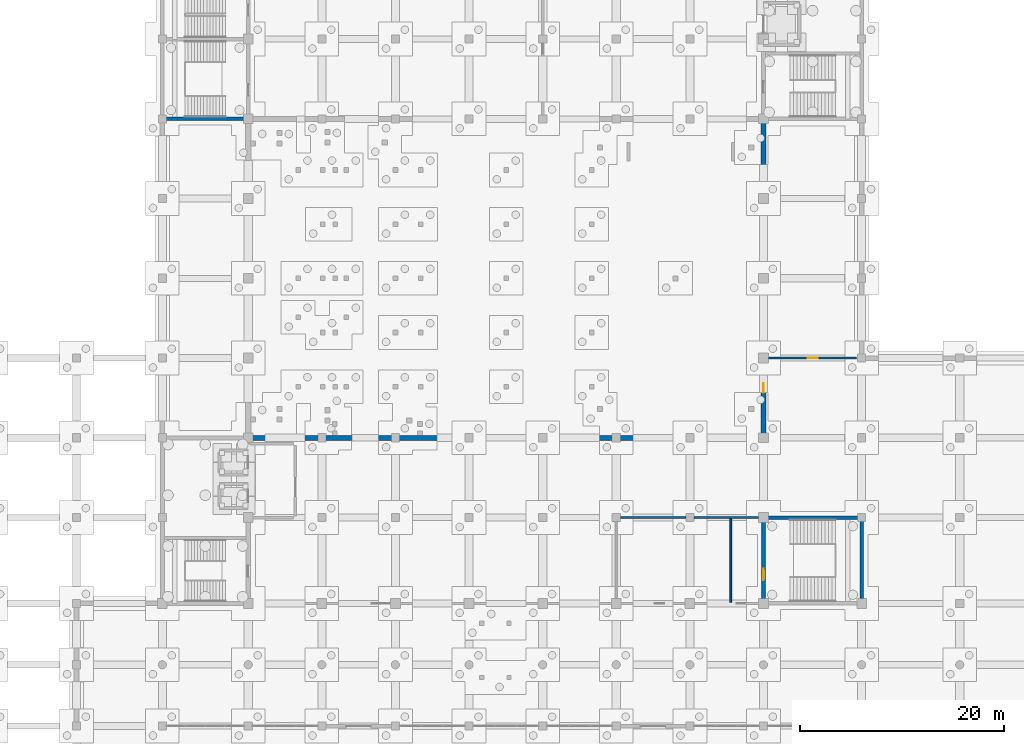
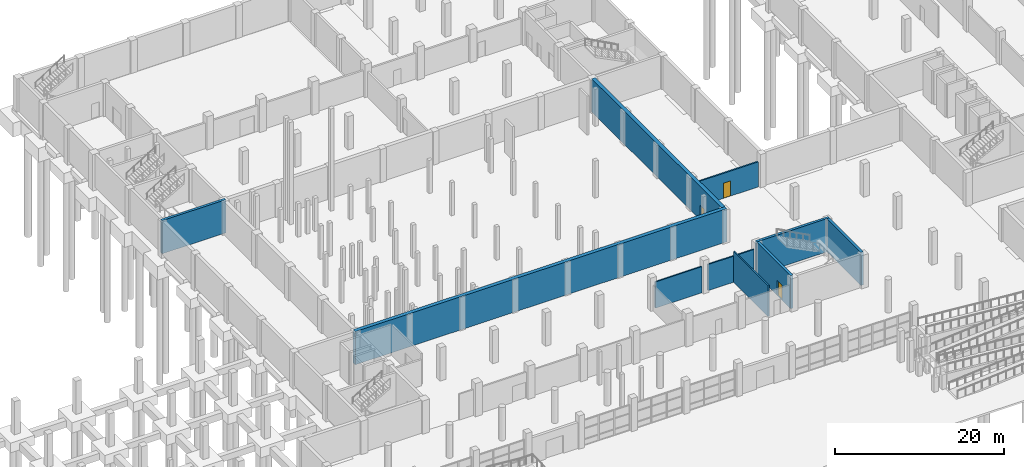
# One storey, part 31 of 42: 10 walls, 3 doors, 3 openings.
"""IFC4 building model written with IfcOpenShell, lengths in metres."""

from ifc_helpers import new_model, si_unit, direction, frame, frame_2d, origin, place, context, subcontext, project, spatial, rectangle, extrude, material, layer, layer_set, type_object, element, fill, save


model = new_model("IFC4")

# Units and contexts
model_context = context("Model", 3, precision=1e-05, world=origin(), true_north=direction((0.0, 1.0)))
body_context = subcontext(model_context, "Body", "Model", "MODEL_VIEW")
ifc_project = project(units=[si_unit("LENGTHUNIT", "METRE"), si_unit("AREAUNIT", "SQUARE_METRE"), si_unit("VOLUMEUNIT", "CUBIC_METRE"), si_unit("PLANEANGLEUNIT", "RADIAN"), si_unit("MASSUNIT", "GRAM", prefix="KILO")], contexts=[model_context])

# Site, building, storey
site_placement = place(None, origin())
site = spatial("IfcSite", under=ifc_project, at=site_placement, CompositionType="ELEMENT")
building_placement = place(site_placement, origin())
building = spatial("IfcBuilding", under=site, at=building_placement, Name="Pellamere Symphony Hall", CompositionType="ELEMENT")
storey_placement = place(building_placement, frame((0.0, 0.0, -4.800048828125)))
storey = spatial("IfcBuildingStorey", under=building, at=storey_placement, Name="B1", CompositionType="ELEMENT", Elevation=-4.800048828125)

# Wall, opening, door
ifc_material_1 = material(Name="Fire-Rated STC-58 Corridor Acoustic Partition", Category="gypsum")
ifc_layer_1 = layer(ifc_material_1, 0.199951171875, Name="Fire-Rated STC-58 Corridor Acoustic Partition")
ifc_layer_set_1 = layer_set([ifc_layer_1], Name="Fire-Rated STC-58 Corridor Acoustic Partition")
wall_type_1 = type_object("IfcWallType", Name="Interior Partition IW-02 200mm", PredefinedType="PARTITIONING", material=ifc_layer_set_1)
wall_1_placement = place(storey_placement, frame((109.7099609375, 54.0, 0.0), z_axis=(0.0, 0.0, 1.0), x_axis=(1.0, 0.0, 0.0)))
wall_1 = element("IfcWall", 1, at=wall_1_placement, inside=storey, type_object=wall_type_1, Name="Interior Partition IW-02-051 (B1)", PredefinedType="PARTITIONING", context=body_context, shape_type="SweptSolid", body=[
    extrude(rectangle(XDim=8.580078125, YDim=0.199951171875, at=frame_2d((4.2900390625, 0.0))), origin(), (0.0, 0.0, 1.0), 3.630126953125),
])
opening_1_placement = place(wall_1_placement, frame((3.800048828125, 0.0, 0.0)))
opening_1 = element("IfcOpeningElement", 2, at=opening_1_placement, cuts=wall_1, Name="Opening ID-FD2-013", PredefinedType="OPENING", context=body_context, shape_type="SweptSolid", body=[
    extrude(rectangle(XDim=1.0, YDim=2.199951171875, at=frame_2d((0.5, 1.10009765625))), frame((0.0, 0.10986328125, 0.0), z_axis=(0.0, -1.0, 0.0), x_axis=(1.0, 0.0, 0.0)), (0.0, 0.0, 1.0), 0.219970703125),
])
ifc_material_2 = material(Name="Fire-Rated Plant and Riser Door", Category="steel")
door_type_1 = type_object("IfcDoorType", Name="Interior Door ID-FD2 1000x2200", OperationType="NOTDEFINED", PredefinedType="DOOR", material=ifc_material_2)
door_1_placement = place(opening_1_placement, origin())
door_1 = element("IfcDoor", 3, at=door_1_placement, inside=storey, type_object=door_type_1, Name="Orchestral Sheet-Music Archive Door", OperationType="SINGLE_SWING_RIGHT", OverallHeight=2.199951171875, OverallWidth=1.0, PredefinedType="DOOR", context=body_context, shape_type="SweptSolid", body=[
    extrude(rectangle(XDim=1.0, YDim=2.199951171875, at=frame_2d((0.5, 1.10009765625))), frame((0.0, 0.02490234375, 0.0), z_axis=(0.0, -1.0, 0.0), x_axis=(1.0, 0.0, 0.0)), (0.0, 0.0, 1.0), 0.050048828125),
])
fill(opening_1, door_1)

# Walls
ifc_material_3 = material(Name="Moisture-Resistant Ceramic-Tiled Washroom Wall", Category="gypsum")
ifc_layer_2 = layer(ifc_material_3, 0.179931640625, Name="Moisture-Resistant Ceramic-Tiled Washroom Wall")
ifc_layer_set_2 = layer_set([ifc_layer_2], Name="Moisture-Resistant Ceramic-Tiled Washroom Wall")
wall_type_2 = type_object("IfcWallType", Name="Interior Partition IW-06 180mm", PredefinedType="PARTITIONING", material=ifc_layer_set_2)
wall_2_placement = place(storey_placement, frame((95.2099609375, 38.39990234375, 0.0), z_axis=(0.0, 0.0, 1.0), x_axis=(1.0, 0.0, 0.0)))
element("IfcWall", 4, at=wall_2_placement, inside=storey, type_object=wall_type_2, Name="Interior Partition IW-06-043 (B1)", PredefinedType="PARTITIONING", context=body_context, shape_type="SweptSolid", body=[
    extrude(rectangle(XDim=6.380126953125, YDim=0.179931640625, at=frame_2d((3.18994140625, 0.0))), origin(), (0.0, 0.0, 1.0), 3.780029296875),
])
wall_3_placement = place(storey_placement, frame((102.409912109375, 38.39990234375, 0.0), z_axis=(0.0, 0.0, 1.0), x_axis=(1.0, 0.0, 0.0)))
element("IfcWall", 5, at=wall_3_placement, inside=storey, type_object=wall_type_2, Name="Interior Partition IW-06-044 (B1)", PredefinedType="PARTITIONING", context=body_context, shape_type="SweptSolid", body=[
    extrude(rectangle(XDim=6.300048828125, YDim=0.179931640625, at=frame_2d((3.14990234375, 0.0))), origin(), (0.0, 0.0, 1.0), 3.780029296875),
])
wall_4_placement = place(storey_placement, frame((106.0, 30.110107421875, 0.0), z_axis=(0.0, 0.0, 1.0), x_axis=(0.0, 1.0, 0.0)))
element("IfcWall", 6, at=wall_4_placement, inside=storey, type_object=wall_type_2, Name="Interior Partition IW-06-045 (B1)", PredefinedType="PARTITIONING", context=body_context, shape_type="SweptSolid", body=[
    extrude(rectangle(XDim=8.18994140625, YDim=0.179931640625, at=frame_2d((4.094970703125, 0.0))), origin(), (0.0, 0.0, 1.0), 4.469970703125),
])
ifc_material_4 = material(Name="Concrete 40 MPa", Category="concrete")
ifc_layer_3 = layer(ifc_material_4, 0.35009765625, Name="Concrete 40 MPa")
ifc_layer_set_3 = layer_set([ifc_layer_3], Name="Concrete 40 MPa")
wall_type_3 = type_object("IfcWallType", Name="Structural Wall SW-03 350mm", PredefinedType="SHEAR", material=ifc_layer_set_3)
wall_5_placement = place(storey_placement, frame((50.22509765625, 77.39990234375, 0.0), z_axis=(0.0, 0.0, 1.0), x_axis=(1.0, 0.0, 0.0)))
element("IfcWall", 7, at=wall_5_placement, inside=storey, type_object=wall_type_3, Name="Stair ST07 Enclosure Wall S (B1)", PredefinedType="SHEAR", context=body_context, shape_type="SweptSolid", body=[
    extrude(rectangle(XDim=8.75, YDim=0.35009765625, at=frame_2d((4.375, 0.0))), origin(), (0.0, 0.0, 1.0), 4.800048828125),
])
wall_6_placement = place(storey_placement, frame((109.02490234375, 38.39990234375, 0.0), z_axis=(0.0, 0.0, 1.0), x_axis=(1.0, 0.0, 0.0)))
element("IfcWall", 8, at=wall_6_placement, inside=storey, type_object=wall_type_3, Name="Stair ST08 Enclosure Wall N (B1)", PredefinedType="SHEAR", context=body_context, shape_type="SweptSolid", body=[
    extrude(rectangle(XDim=9.9501953125, YDim=0.35009765625, at=frame_2d((4.97509765625, 0.0))), origin(), (0.0, 0.0, 1.0), 4.800048828125),
])

# Wall, opening, door
wall_7_placement = place(storey_placement, frame((109.199951171875, 30.175048828125, 0.0), z_axis=(0.0, 0.0, 1.0), x_axis=(0.0, 1.0, 0.0)))
wall_7 = element("IfcWall", 9, at=wall_7_placement, inside=storey, type_object=wall_type_3, Name="Stair ST08 Enclosure Wall W (B1)", PredefinedType="SHEAR", context=body_context, shape_type="SweptSolid", body=[
    extrude(rectangle(XDim=8.050048828125, YDim=0.35009765625, at=frame_2d((4.02490234375, 0.0))), origin(), (0.0, 0.0, 1.0), 4.800048828125),
])
opening_2_placement = place(wall_7_placement, frame((2.10009765625, 0.0, 0.0)))
opening_2 = element("IfcOpeningElement", 10, at=opening_2_placement, cuts=wall_7, Name="Opening SD-43", PredefinedType="OPENING", context=body_context, shape_type="SweptSolid", body=[
    extrude(rectangle(XDim=1.10009765625, YDim=2.199951171875, at=frame_2d((0.550048828125, 1.10009765625))), frame((0.0, 0.18505859375, 0.0), z_axis=(0.0, -1.0, 0.0), x_axis=(1.0, 0.0, 0.0)), (0.0, 0.0, 1.0), 0.3701171875),
])
ifc_material_5 = material(Name="Fire-Rated Steel Exit Stair Door", Category="steel")
door_type_2 = type_object("IfcDoorType", Name="Interior Door ID-SD1 1100x2200", OperationType="NOTDEFINED", PredefinedType="DOOR", material=ifc_material_5)
door_2_placement = place(opening_2_placement, frame((1.10009765625, 0.0, 0.0), z_axis=(0.0, 0.0, 1.0), x_axis=(-1.0, 0.0, 0.0)))
door_2 = element("IfcDoor", 11, at=door_2_placement, inside=storey, type_object=door_type_2, Name="Exit Stair ST08 Door (B1)", OperationType="SINGLE_SWING_LEFT", OverallHeight=2.199951171875, OverallWidth=1.10009765625, PredefinedType="DOOR", context=body_context, shape_type="SweptSolid", body=[
    extrude(rectangle(XDim=1.10009765625, YDim=2.199951171875, at=frame_2d((0.550048828125, 1.10009765625))), frame((0.0, 0.02490234375, 0.0), z_axis=(0.0, -1.0, 0.0), x_axis=(1.0, 0.0, 0.0)), (0.0, 0.0, 1.0), 0.050048828125),
])
fill(opening_2, door_2)

# Walls
wall_8_placement = place(storey_placement, frame((118.800048828125, 30.175048828125, 0.0), z_axis=(0.0, 0.0, 1.0), x_axis=(0.0, 1.0, 0.0)))
element("IfcWall", 12, at=wall_8_placement, inside=storey, type_object=wall_type_3, Name="Stair ST08 Enclosure Wall E (B1)", PredefinedType="SHEAR", context=body_context, shape_type="SweptSolid", body=[
    extrude(rectangle(XDim=8.050048828125, YDim=0.35009765625, at=frame_2d((4.02490234375, 0.0))), origin(), (0.0, 0.0, 1.0), 4.800048828125),
])
ifc_material_6 = material(Name="Architectural warm-pigmented concrete 40 MPa", Category="concrete")
ifc_layer_4 = layer(ifc_material_6, 0.5, Name="Architectural warm-pigmented concrete 40 MPa")
ifc_layer_set_4 = layer_set([ifc_layer_4], Name="Architectural warm-pigmented concrete 40 MPa")
wall_type_4 = type_object("IfcWallType", Name="Structural Wall SW-05 500mm", PredefinedType="SOLIDWALL", material=ifc_layer_set_4)
wall_9_placement = place(storey_placement, frame((58.590087890625, 46.199951171875, 0.0), z_axis=(0.0, 0.0, 1.0), x_axis=(1.0, 0.0, 0.0)))
element("IfcWall", 13, at=wall_9_placement, inside=storey, type_object=wall_type_4, Name="Main Hall Acoustic Box Wall AW1-S (B1)", PredefinedType="SOLIDWALL", context=body_context, shape_type="SweptSolid", body=[
    extrude(rectangle(XDim=50.81982421875, YDim=0.5, at=frame_2d((25.409912109375, 0.0))), origin(), (0.0, 0.0, 1.0), 4.800048828125),
])

# Wall, opening, door
wall_10_placement = place(storey_placement, frame((109.199951171875, 46.409912109375, 0.0), z_axis=(0.0, 0.0, 1.0), x_axis=(0.0, 1.0, 0.0)))
wall_10 = element("IfcWall", 14, at=wall_10_placement, inside=storey, type_object=wall_type_4, Name="Main Hall Acoustic Box Wall AW1-E (B1)", PredefinedType="SOLIDWALL", context=body_context, shape_type="SweptSolid", body=[
    extrude(rectangle(XDim=30.780029296875, YDim=0.5, at=frame_2d((15.39013671875, 0.0))), origin(), (0.0, 0.0, 1.0), 4.800048828125),
])
opening_3_placement = place(wall_10_placement, frame((4.18994140625, 0.0, 0.0)))
opening_3 = element("IfcOpeningElement", 15, at=opening_3_placement, cuts=wall_10, Name="Opening FD-121", PredefinedType="OPENING", context=body_context, shape_type="SweptSolid", body=[
    extrude(rectangle(XDim=0.949951171875, YDim=2.10009765625, at=frame_2d((0.47509765625, 1.050048828125))), frame((0.0, 0.260009765625, 0.0), z_axis=(0.0, -1.0, 0.0), x_axis=(1.0, 0.0, 0.0)), (0.0, 0.0, 1.0), 0.52001953125),
])
ifc_material_7 = material(Name="Two-Hour Fire-Rated Steel Compartment Door", Category="steel")
door_type_3 = type_object("IfcDoorType", Name="Interior Door ID-FD3 950x2100", OperationType="NOTDEFINED", PredefinedType="DOOR", material=ifc_material_7)
door_3_placement = place(opening_3_placement, frame((0.949951171875, 0.0, 0.0), z_axis=(0.0, 0.0, 1.0), x_axis=(-1.0, 0.0, 0.0)))
door_3 = element("IfcDoor", 16, at=door_3_placement, inside=storey, type_object=door_type_3, Name="Under-Hall Acoustic Plenum Service Access Door (B1)", OperationType="SINGLE_SWING_RIGHT", OverallHeight=2.10009765625, OverallWidth=0.949951171875, PredefinedType="DOOR", context=body_context, shape_type="SweptSolid", body=[
    extrude(rectangle(XDim=0.949951171875, YDim=2.10009765625, at=frame_2d((0.47509765625, 1.050048828125))), frame((0.0, 0.02490234375, 0.0), z_axis=(0.0, -1.0, 0.0), x_axis=(1.0, 0.0, 0.0)), (0.0, 0.0, 1.0), 0.050048828125),
])
fill(opening_3, door_3)

save(model, "model.ifc")
